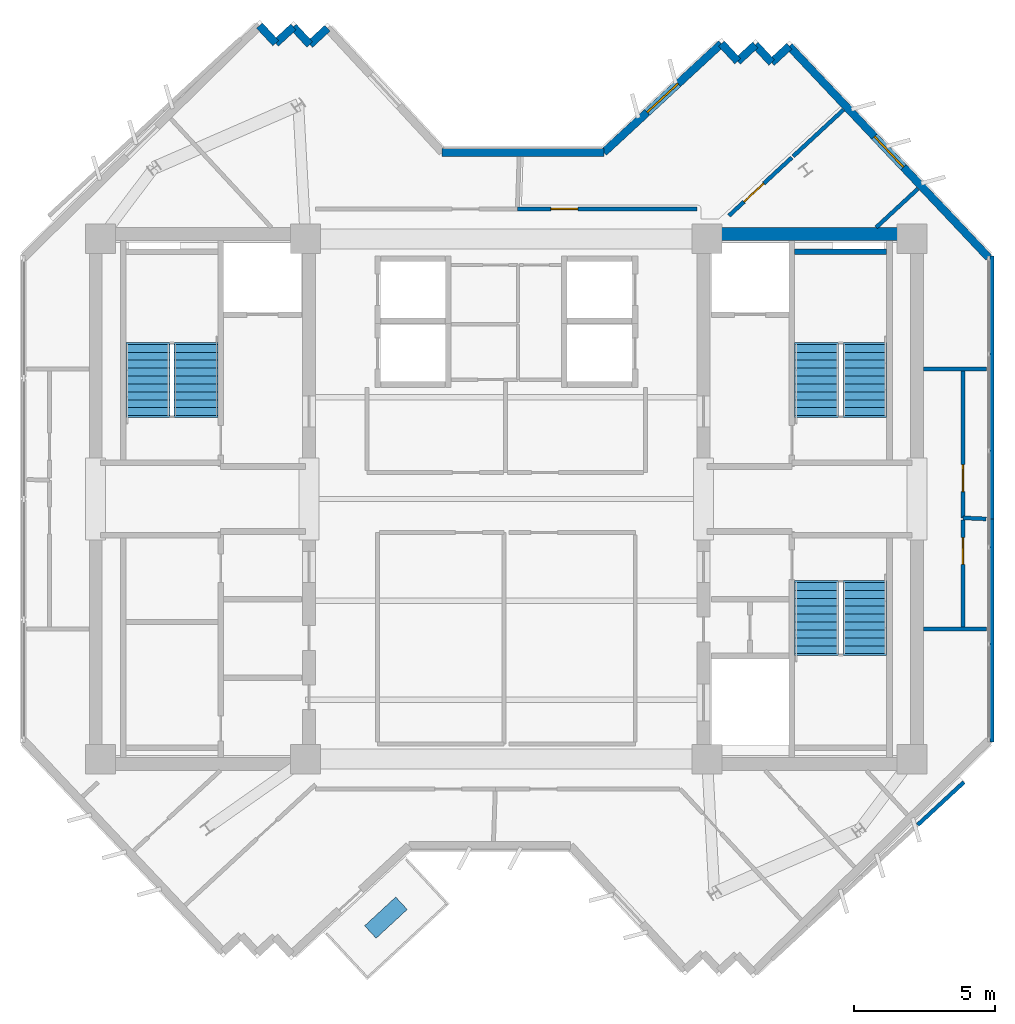
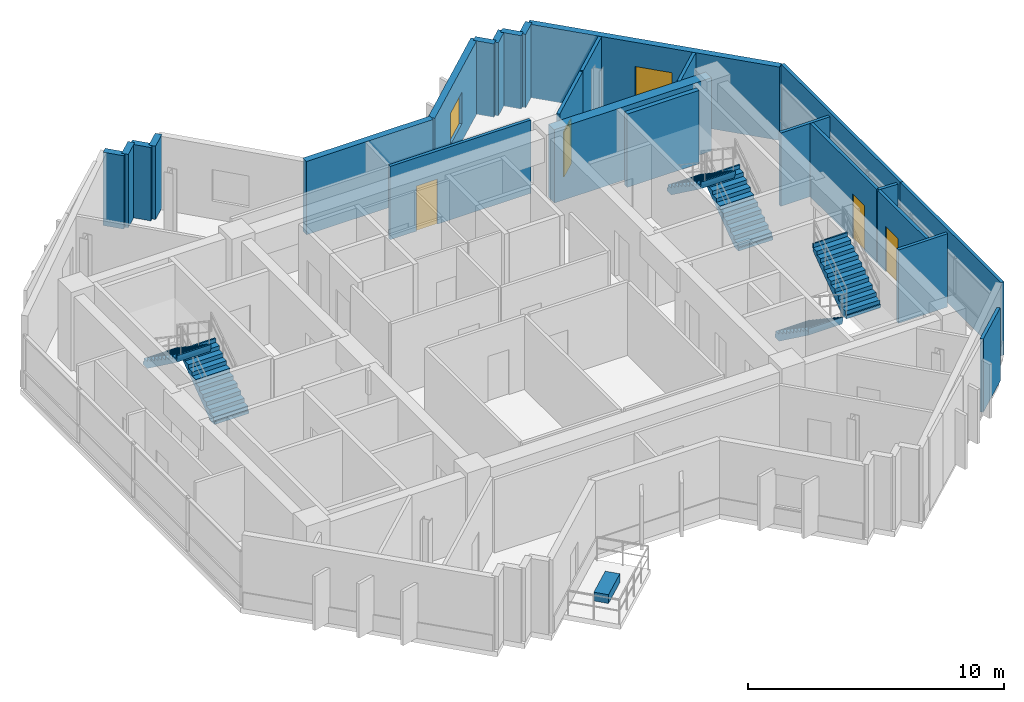
# One storey, part 7 of 9: 25 walls, 6 stair flights, 4 doors, 2 windows, 1 discrete accessory, 6 openings, 3 elements without a shape of their own.
"""IFC4 building model written with IfcOpenShell, lengths in metres."""

import ifcopenshell
import ifcopenshell.guid

model = None  # the IFC model being written
_history = None  # IfcOwnerHistory: only IFC2X3 demands one
_inside = {}  # id of a spatial element -> (the spatial element, [elements in it])
_under = {}  # id of a project, library or spatial element -> (it, [spatial elements below it])
_declared = {}  # id of a project -> (the project, [libraries it declares])
_typed = {}  # id of a type object -> (the type object, [elements of that type])
_made_of = {}  # id of a material, layer set ... -> (it, [elements and type objects made of it])


def new_model(schema):
    """Start an empty IFC model of exactly this schema.

    Asked for "IFC4X3", IfcOpenShell would pick the latest addendum, in which some entities
    have other attributes; the version numbers below select the first issue.
    IFC2X3 requires an IfcOwnerHistory on every rooted entity: one is made here for all.
    """
    global model, _history
    if schema == "IFC4X3":
        model = ifcopenshell.file(schema_version=(4, 3, 0, 0))
    else:
        model = ifcopenshell.file(schema=schema)
    _inside.clear()
    _under.clear()
    _declared.clear()
    _typed.clear()
    _made_of.clear()
    _history = None
    if model.schema == "IFC2X3":
        org = make("IfcOrganization", Name="unknown")
        user = make(
            "IfcPersonAndOrganization",
            ThePerson=make("IfcPerson", FamilyName="unknown"),
            TheOrganization=org,
        )
        app = make(
            "IfcApplication",
            ApplicationDeveloper=org,
            Version="unknown",
            ApplicationFullName="unknown",
            ApplicationIdentifier="unknown",
        )
        _history = make(
            "IfcOwnerHistory",
            OwningUser=user,
            OwningApplication=app,
            ChangeAction="ADDED",
            CreationDate=0,
        )
    return model


def make(cls, **values):
    """One entity of the class cls with the attributes given. An attribute that is None is left unset."""
    return model.create_entity(
        cls, **{name: value for name, value in values.items() if value is not None}
    )


def rooted(cls, **values):
    """An entity with a GlobalId (a new one), such as an element, a storey or a relation."""
    return make(cls, GlobalId=ifcopenshell.guid.new(), OwnerHistory=_history, **values)


def si_unit(unit_type, name, prefix=None):
    """IfcSIUnit, for example si_unit("LENGTHUNIT", "METRE", prefix="MILLI")."""
    return make("IfcSIUnit", UnitType=unit_type, Prefix=prefix, Name=name)


def assignment(units):
    """IfcUnitAssignment: the units of a project."""
    return None if units is None else make("IfcUnitAssignment", Units=units)


def point(xyz):
    """IfcCartesianPoint."""
    return None if xyz is None else make("IfcCartesianPoint", Coordinates=xyz)


def direction(xyz):
    """IfcDirection."""
    return None if xyz is None else make("IfcDirection", DirectionRatios=xyz)


def frame(location, z_axis=None, x_axis=None):
    """IfcAxis2Placement3D, a coordinate frame: its origin and axes. An axis left out is left unset."""
    return make(
        "IfcAxis2Placement3D",
        Location=point(location),
        Axis=direction(z_axis),
        RefDirection=direction(x_axis),
    )


def frame_2d(location, x_axis=None):
    """IfcAxis2Placement2D, a coordinate frame in the plane: its origin and x axis."""
    return make(
        "IfcAxis2Placement2D", Location=point(location), RefDirection=direction(x_axis)
    )


def origin():
    """The frame at (0, 0, 0) with its axes left unset."""
    return frame((0.0, 0.0, 0.0))


def origin_2d():
    """The frame at (0, 0) in the plane with its x axis left unset."""
    return frame_2d((0.0, 0.0))


def place(relative_to, where):
    """IfcLocalPlacement: puts the frame where relative to a parent placement (None: the world)."""
    return make(
        "IfcLocalPlacement", PlacementRelTo=relative_to, RelativePlacement=where
    )


def context(
    kind, dimensions, precision=None, world=None, true_north=None, identifier=None
):
    """IfcGeometricRepresentationContext, for example the 3D "Model" context."""
    return make(
        "IfcGeometricRepresentationContext",
        ContextIdentifier=identifier,
        ContextType=kind,
        CoordinateSpaceDimension=dimensions,
        Precision=precision,
        WorldCoordinateSystem=world,
        TrueNorth=true_north,
    )


def subcontext(parent, identifier, kind, view, scale=None):
    """IfcGeometricRepresentationSubContext, for example "Body" below "Model"."""
    return make(
        "IfcGeometricRepresentationSubContext",
        ContextIdentifier=identifier,
        ContextType=kind,
        ParentContext=parent,
        TargetScale=scale,
        TargetView=view,
    )


def project(units=None, contexts=None):
    """IfcProject with its units and contexts."""
    return rooted(
        "IfcProject",
        Name="project",
        RepresentationContexts=contexts,
        UnitsInContext=assignment(units),
    )


def spatial(cls, under=None, at=None, **own):
    """A site, building, storey or space (cls), placed at a placement, below another one or the project."""
    s = rooted(cls, ObjectPlacement=at, **own)
    if under is not None:
        _under.setdefault(under.id(), (under, []))[1].append(s)
    return s


def polyline(points):
    """IfcPolyline through the points."""
    return make("IfcPolyline", Points=[point(p) for p in points])


def profile(cls, at=None, kind="AREA", **sizes):
    """A parametric profile (cls). Its sizes go by their IFC names, for example OverallWidth=200.0."""
    return make(cls, ProfileType=kind, Position=at, **sizes)


def rectangle(**sizes):
    """IfcRectangleProfileDef."""
    return profile("IfcRectangleProfileDef", **sizes)


def outline(outer, holes=None, kind="AREA"):
    """IfcArbitraryClosedProfileDef: a profile drawn as a closed curve; with holes, ...WithVoids."""
    if holes is None:
        return make("IfcArbitraryClosedProfileDef", ProfileType=kind, OuterCurve=outer)
    return make(
        "IfcArbitraryProfileDefWithVoids",
        ProfileType=kind,
        OuterCurve=outer,
        InnerCurves=holes,
    )


def extrude(swept, where, along, depth):
    """IfcExtrudedAreaSolid: the profile swept, set in the frame where, extruded along a direction by depth."""
    return make(
        "IfcExtrudedAreaSolid",
        SweptArea=swept,
        Position=where,
        ExtrudedDirection=direction(along),
        Depth=depth,
    )


def shape(context_of_items, identifier, shape_type, items):
    """IfcShapeRepresentation: the items that make up one representation, for example the "Body"."""
    return make(
        "IfcShapeRepresentation",
        ContextOfItems=context_of_items,
        RepresentationIdentifier=identifier,
        RepresentationType=shape_type,
        Items=items,
    )


def source(mapping_origin, context_of_items, identifier, shape_type, items):
    """IfcRepresentationMap: a shape defined once, which mapped items show again and again."""
    return make(
        "IfcRepresentationMap",
        MappingOrigin=mapping_origin,
        MappedRepresentation=shape(context_of_items, identifier, shape_type, items),
    )


def transform(
    local_origin,
    x_axis=None,
    y_axis=None,
    z_axis=None,
    scale=None,
    scale2=None,
    scale3=None,
    uniform=True,
):
    """IfcCartesianTransformationOperator3D, or its non-uniform kind. x_axis, y_axis, z_axis: its Axis1, 2, 3."""
    if uniform:
        return make(
            "IfcCartesianTransformationOperator3D",
            Axis1=direction(x_axis),
            Axis2=direction(y_axis),
            LocalOrigin=point(local_origin),
            Scale=scale,
            Axis3=direction(z_axis),
        )
    return make(
        "IfcCartesianTransformationOperator3DnonUniform",
        Axis1=direction(x_axis),
        Axis2=direction(y_axis),
        LocalOrigin=point(local_origin),
        Scale=scale,
        Axis3=direction(z_axis),
        Scale2=scale2,
        Scale3=scale3,
    )


def mapped(mapping_source, mapping_target):
    """IfcMappedItem: shows the shape of a source again, moved by a transform."""
    return make(
        "IfcMappedItem", MappingSource=mapping_source, MappingTarget=mapping_target
    )


def material(Name=None, Category=None):
    """IfcMaterial."""
    return make("IfcMaterial", Name=Name, Category=Category)


def layer(
    of_material, thickness, ventilated=None, Name=None, Category=None, Priority=None
):
    """IfcMaterialLayer: one layer of a wall or slab, of a material (None: an air gap)."""
    return make(
        "IfcMaterialLayer",
        Material=of_material,
        LayerThickness=thickness,
        IsVentilated=ventilated,
        Name=Name,
        Category=Category,
        Priority=Priority,
    )


def layer_set(layers, Name=None):
    """IfcMaterialLayerSet."""
    return make("IfcMaterialLayerSet", MaterialLayers=layers, LayerSetName=Name)


def made_of(thing, what):
    """Note that an element or type object is made of a material, layer set ...; save() writes the relation."""
    if what is not None:
        _made_of.setdefault(what.id(), (what, []))[1].append(thing)
    return thing


def type_object(cls, material=None, **own):
    """A type object (cls), such as IfcWallType, which elements share."""
    return made_of(rooted(cls, **own), material)


def element(
    cls,
    number,
    at=None,
    inside=None,
    cuts=None,
    type_object=None,
    material=None,
    context=None,
    identifier="Body",
    shape_type=None,
    held_by="IfcProductDefinitionShape",
    body=None,
    shapes=None,
    **own,
):
    """One element of the class cls, such as IfcWall. Its Tag is "e" and its number.

    at: its placement. inside: the storey or other place that contains it. cuts: it is an
    opening in that element (IfcRelVoidsElement). A single representation is given by context,
    identifier, shape_type and body (its items); several are given by shapes. held_by: the class
    of the entity that holds the representations. save() writes the other relations.
    """
    e = rooted(cls, Tag="e%d" % number, ObjectPlacement=at, **own)
    if body is not None:
        shapes = [shape(context, identifier, shape_type, body)]
    if shapes is not None:
        e.Representation = make(held_by, Representations=shapes)
    if inside is not None:
        _inside.setdefault(inside.id(), (inside, []))[1].append(e)
    if cuts is not None:
        rooted(
            "IfcRelVoidsElement", RelatingBuildingElement=cuts, RelatedOpeningElement=e
        )
    if type_object is not None:
        _typed.setdefault(type_object.id(), (type_object, []))[1].append(e)
    return made_of(e, material)


def fill(opening, filler):
    """IfcRelFillsElement: the door or window that sits in an opening."""
    return rooted(
        "IfcRelFillsElement",
        RelatingOpeningElement=opening,
        RelatedBuildingElement=filler,
    )


def aggregate(whole, parts):
    """IfcRelAggregates: a whole, such as a stair, and the parts it consists of."""
    return rooted("IfcRelAggregates", RelatingObject=whole, RelatedObjects=parts)


def save(model, path):
    """Write the relations noted so far, then the file.

    IfcRelAggregates (storeys below a building ...), IfcRelContainedInSpatialStructure (elements
    in a storey), IfcRelDefinesByType, IfcRelAssociatesMaterial and IfcRelDeclares: one each for
    every whole, place, type object, material and project.
    """
    for whole, parts in _under.values():
        aggregate(whole, parts)
    for where, things in _inside.values():
        rooted(
            "IfcRelContainedInSpatialStructure",
            RelatedElements=things,
            RelatingStructure=where,
        )
    for kind, things in _typed.values():
        rooted("IfcRelDefinesByType", RelatedObjects=things, RelatingType=kind)
    for what, things in _made_of.values():
        rooted("IfcRelAssociatesMaterial", RelatedObjects=things, RelatingMaterial=what)
    for by, libraries in _declared.values():
        rooted("IfcRelDeclares", RelatingContext=by, RelatedDefinitions=libraries)
    model.write(path)


model = new_model("IFC4")

# Units and contexts
model_context = context("Model", 3, precision=1e-05, world=origin(), true_north=direction((0.0, 1.0)))
body_context = subcontext(model_context, "Body", "Model", "MODEL_VIEW")
ifc_project = project(units=[si_unit("LENGTHUNIT", "METRE"), si_unit("AREAUNIT", "SQUARE_METRE"), si_unit("VOLUMEUNIT", "CUBIC_METRE"), si_unit("PLANEANGLEUNIT", "RADIAN"), si_unit("MASSUNIT", "GRAM", prefix="KILO")], contexts=[model_context])

# Site, building, storey
site_placement = place(None, origin())
site = spatial("IfcSite", under=ifc_project, at=site_placement, CompositionType="ELEMENT")
building_placement = place(site_placement, origin())
building = spatial("IfcBuilding", under=site, at=building_placement, Name="Zahravan Cultural Tower", CompositionType="ELEMENT")
storey_placement = place(building_placement, frame((0.0, 0.0, 291.60009765625)))
storey = spatial("IfcBuildingStorey", under=building, at=storey_placement, Name="L70", CompositionType="ELEMENT", Elevation=291.60009765625)

# Wall, opening, window
ifc_material_1 = material(Name="Precast concrete C40/50", Category="concrete")
ifc_layer_1 = layer(ifc_material_1, 0.280029296875)
ifc_layer_set_1 = layer_set([ifc_layer_1], Name="Precast concrete C40/50")
wall_type_1 = type_object("IfcWallType", Name="EW-TC-280", PredefinedType="SOLIDWALL", material=ifc_layer_set_1)
wall_1_placement = place(storey_placement, frame((39.44677734375, 39.260009765625, 0.0), z_axis=(0.0, 0.0, 1.0), x_axis=(0.734109106874, 0.679031530346, 0.0)))
wall_1 = element("IfcWall", 1, at=wall_1_placement, inside=storey, type_object=wall_type_1, Name="L70 Exterior Masonry Frame Wall 01", PredefinedType="SOLIDWALL", context=body_context, shape_type="SweptSolid", body=[
    extrude(rectangle(XDim=5.6650390625, YDim=0.280029296875, at=frame_2d((2.83251953125, 0.0))), origin(), (0.0, 0.0, 1.0), 3.5),
])
opening_1_placement = place(wall_1_placement, frame((2.08203125, 0.0, 0.85009765625)))
opening_1 = element("IfcOpeningElement", 2, at=opening_1_placement, cuts=wall_1, Name="Opening WN-03", PredefinedType="OPENING", context=body_context, shape_type="SweptSolid", body=[
    extrude(rectangle(XDim=1.5, YDim=1.5, at=frame_2d((0.75, 0.75))), frame((0.0, 0.14990234375, 0.0), z_axis=(0.0, -1.0, 0.0), x_axis=(1.0, 0.0, 0.0)), (0.0, 0.0, 1.0), 0.300048828125),
])
ifc_material_2 = material(Name="Low-E solar-control double glazing", Category="glass")
window_type = type_object("IfcWindowType", Name="WN-REC-1500X1500", PartitioningType="SINGLE_PANEL", PredefinedType="WINDOW", material=ifc_material_2)
shared_shape_1 = source(origin(), body_context, "Body", "SweptSolid", [
    extrude(rectangle(XDim=1.5, YDim=1.5, at=frame_2d((0.75, 0.75))), frame((0.0, 0.030029296875, 0.0), z_axis=(0.0, -1.0, 0.0), x_axis=(1.0, 0.0, 0.0)), (0.0, 0.0, 1.0), 0.06005859375),
])
window_1_placement = place(opening_1_placement, origin())
window_1 = element("IfcWindow", 3, at=window_1_placement, inside=storey, type_object=window_type, Name="L70 Recessed Solar Window 01", OverallHeight=1.5, OverallWidth=1.5, PartitioningType="SINGLE_PANEL", PredefinedType="WINDOW", context=body_context, shape_type="MappedRepresentation", body=[
    mapped(shared_shape_1, transform((0.0, 0.0, 0.0), x_axis=(1.0, 0.0, 0.0), y_axis=(0.0, 1.0, 0.0), z_axis=(0.0, 0.0, 1.0), scale=1.0)),
])
fill(opening_1, window_1)

wall_2_placement = place(storey_placement, frame((46.0078125, 43.012939453125, 0.0), z_axis=(0.0, 0.0, 1.0), x_axis=(0.68643580465, -0.727190405667, 0.0)))
wall_2 = element("IfcWall", 4, at=wall_2_placement, inside=storey, type_object=wall_type_1, Name="L70 Exterior Masonry Frame Wall 06", PredefinedType="SOLIDWALL", context=body_context, shape_type="SweptSolid", body=[
    extrude(rectangle(XDim=10.273681640625, YDim=0.280029296875, at=frame_2d((5.13671875, 0.0))), origin(), (0.0, 0.0, 1.0), 3.5),
])
opening_2_placement = place(wall_2_placement, frame((4.386962890625, 0.0, 0.85009765625)))
opening_2 = element("IfcOpeningElement", 5, at=opening_2_placement, cuts=wall_2, Name="Opening WN-03", PredefinedType="OPENING", context=body_context, shape_type="SweptSolid", body=[
    extrude(rectangle(XDim=1.5, YDim=1.5, at=frame_2d((0.75, 0.75))), frame((0.0, 0.14990234375, 0.0), z_axis=(0.0, -1.0, 0.0), x_axis=(1.0, 0.0, 0.0)), (0.0, 0.0, 1.0), 0.300048828125),
])
window_2_placement = place(opening_2_placement, origin())
window_2 = element("IfcWindow", 6, at=window_2_placement, inside=storey, type_object=window_type, Name="L70 Recessed Solar Window 02", OverallHeight=1.5, OverallWidth=1.5, PartitioningType="SINGLE_PANEL", PredefinedType="WINDOW", context=body_context, shape_type="MappedRepresentation", body=[
    mapped(shared_shape_1, transform((0.0, 0.0, 0.0), x_axis=(1.0, 0.0, 0.0), y_axis=(0.0, 1.0, 0.0), z_axis=(0.0, 0.0, 1.0), scale=1.0)),
])
fill(opening_2, window_2)

# Wall, opening, door
ifc_material_3 = material(Name="Gypsum plasterboard partition")
ifc_layer_2 = layer(ifc_material_3, 0.139892578125)
ifc_layer_set_2 = layer_set([ifc_layer_2], Name="Gypsum plasterboard partition")
wall_type_2 = type_object("IfcWallType", Name="W-PART-140", PredefinedType="PARTITIONING", material=ifc_layer_set_2)
wall_3_placement = place(storey_placement, frame((43.873046875, 37.02001953125, 0.0), z_axis=(0.0, 0.0, 1.0), x_axis=(0.734120521476, 0.679019189676, 0.0)))
wall_3 = element("IfcWall", 7, at=wall_3_placement, inside=storey, type_object=wall_type_2, Name="L70 Interior Wall 063", PredefinedType="PARTITIONING", context=body_context, shape_type="SweptSolid", body=[
    extrude(rectangle(XDim=3.030517578125, YDim=0.139892578125, at=frame_2d((1.51513671875, 0.0))), origin(), (0.0, 0.0, 1.0), 3.5),
])
opening_3_placement = place(wall_3_placement, frame((0.728271484375, 0.0, 0.0)))
opening_3 = element("IfcOpeningElement", 8, at=opening_3_placement, cuts=wall_3, Name="Opening D-L70-29", PredefinedType="OPENING", context=body_context, shape_type="SweptSolid", body=[
    extrude(rectangle(XDim=0.949951171875, YDim=2.14990234375, at=frame_2d((0.47509765625, 1.074951171875))), frame((0.0, 0.079833984375, 0.0), z_axis=(0.0, -1.0, 0.0), x_axis=(1.0, 0.0, 0.0)), (0.0, 0.0, 1.0), 0.159912109375),
])
ifc_material_4 = material(Name="Anodised bronze-aluminium mullion", Category="aluminium")
door_type = type_object("IfcDoorType", Name="DR-ROOM-950", OperationType="NOTDEFINED", PredefinedType="DOOR", material=ifc_material_4)
shared_shape_2 = source(origin(), body_context, "Body", "SweptSolid", [
    extrude(rectangle(XDim=0.949951171875, YDim=2.14990234375, at=frame_2d((0.47509765625, 1.074951171875))), frame((0.0, 0.02490234375, 0.0), z_axis=(0.0, -1.0, 0.0), x_axis=(1.0, 0.0, 0.0)), (0.0, 0.0, 1.0), 0.050048828125),
])
door_1_placement = place(opening_3_placement, origin())
door_1 = element("IfcDoor", 9, at=door_1_placement, inside=storey, type_object=door_type, Name="L70 Door D-L70-29", OperationType="SINGLE_SWING_RIGHT", OverallHeight=2.14990234375, OverallWidth=0.949951171875, PredefinedType="DOOR", context=body_context, shape_type="MappedRepresentation", body=[
    mapped(shared_shape_2, transform((0.0, 0.0, 0.0), x_axis=(1.0, 0.0, 0.0), y_axis=(0.0, 1.0, 0.0), z_axis=(0.0, 0.0, 1.0), scale=1.0)),
])
fill(opening_3, door_1)

wall_4_placement = place(storey_placement, frame((52.14990234375, 26.33251953125, 0.0), z_axis=(0.0, 0.0, 1.0), x_axis=(-0.000188111359, 0.999999982307, 0.0)))
wall_4 = element("IfcWall", 10, at=wall_4_placement, inside=storey, type_object=wall_type_2, Name="L70 Interior Wall 072", PredefinedType="PARTITIONING", context=body_context, shape_type="SweptSolid", body=[
    extrude(rectangle(XDim=5.19140625, YDim=0.139892578125, at=frame_2d((2.595703125, 0.0))), origin(), (0.0, 0.0, 1.0), 3.5),
])
opening_4_placement = place(wall_4_placement, frame((0.93310546875, 0.0, 0.0)))
opening_4 = element("IfcOpeningElement", 11, at=opening_4_placement, cuts=wall_4, Name="Opening D-L70-20", PredefinedType="OPENING", context=body_context, shape_type="SweptSolid", body=[
    extrude(rectangle(XDim=0.949951171875, YDim=2.14990234375, at=frame_2d((0.47509765625, 1.074951171875))), frame((0.0, 0.079833984375, 0.0), z_axis=(0.0, -1.0, 0.0), x_axis=(1.0, 0.0, 0.0)), (0.0, 0.0, 1.0), 0.159912109375),
])
door_2_placement = place(opening_4_placement, origin())
door_2 = element("IfcDoor", 12, at=door_2_placement, inside=storey, type_object=door_type, Name="L70 Door D-L70-20", OperationType="SINGLE_SWING_LEFT", OverallHeight=2.14990234375, OverallWidth=0.949951171875, PredefinedType="DOOR", context=body_context, shape_type="MappedRepresentation", body=[
    mapped(shared_shape_2, transform((0.0, 0.0, 0.0), x_axis=(1.0, 0.0, 0.0), y_axis=(0.0, 1.0, 0.0), z_axis=(0.0, 0.0, 1.0), scale=1.0)),
])
fill(opening_4, door_2)

wall_5_placement = place(storey_placement, frame((52.148681640625, 22.477294921875, 0.0), z_axis=(0.0, 0.0, 1.0), x_axis=(0.000322913959, 0.999999947863, 0.0)))
wall_5 = element("IfcWall", 13, at=wall_5_placement, inside=storey, type_object=wall_type_2, Name="L70 Interior Wall 074", PredefinedType="PARTITIONING", context=body_context, shape_type="SweptSolid", body=[
    extrude(rectangle(XDim=3.7802734375, YDim=0.139892578125, at=frame_2d((1.89013671875, 0.0))), origin(), (0.0, 0.0, 1.0), 3.5),
])
opening_5_placement = place(wall_5_placement, frame((2.20751953125, 0.0, 0.0)))
opening_5 = element("IfcOpeningElement", 14, at=opening_5_placement, cuts=wall_5, Name="Opening D-L70-27", PredefinedType="OPENING", context=body_context, shape_type="SweptSolid", body=[
    extrude(rectangle(XDim=0.949951171875, YDim=2.14990234375, at=frame_2d((0.47509765625, 1.074951171875))), frame((0.0, 0.079833984375, 0.0), z_axis=(0.0, -1.0, 0.0), x_axis=(1.0, 0.0, 0.0)), (0.0, 0.0, 1.0), 0.159912109375),
])
door_3_placement = place(opening_5_placement, origin())
door_3 = element("IfcDoor", 15, at=door_3_placement, inside=storey, type_object=door_type, Name="L70 Door D-L70-27", OperationType="SINGLE_SWING_RIGHT", OverallHeight=2.14990234375, OverallWidth=0.949951171875, PredefinedType="DOOR", context=body_context, shape_type="MappedRepresentation", body=[
    mapped(shared_shape_2, transform((0.0, 0.0, 0.0), x_axis=(1.0, 0.0, 0.0), y_axis=(0.0, 1.0, 0.0), z_axis=(0.0, 0.0, 1.0), scale=1.0)),
])
fill(opening_5, door_3)

wall_6_placement = place(storey_placement, frame((42.742431640625, 37.259765625, 0.0), z_axis=(0.0, 0.0, 1.0), x_axis=(-0.999999999261, 3.8433452e-05, 0.0)))
wall_6 = element("IfcWall", 16, at=wall_6_placement, inside=storey, type_object=wall_type_2, Name="L70 Interior Wall 092", PredefinedType="PARTITIONING", context=body_context, shape_type="SweptSolid", body=[
    extrude(rectangle(XDim=6.352294921875, YDim=0.139892578125, at=frame_2d((3.17626953125, 0.0))), origin(), (0.0, 0.0, 1.0), 3.5),
])
opening_6_placement = place(wall_6_placement, frame((4.213623046875, 0.0, 0.0)))
opening_6 = element("IfcOpeningElement", 17, at=opening_6_placement, cuts=wall_6, Name="Opening D-L70-21", PredefinedType="OPENING", context=body_context, shape_type="SweptSolid", body=[
    extrude(rectangle(XDim=0.949951171875, YDim=2.14990234375, at=frame_2d((0.47509765625, 1.074951171875))), frame((0.0, 0.079833984375, 0.0), z_axis=(0.0, -1.0, 0.0), x_axis=(1.0, 0.0, 0.0)), (0.0, 0.0, 1.0), 0.159912109375),
])
door_4_placement = place(opening_6_placement, origin())
door_4 = element("IfcDoor", 18, at=door_4_placement, inside=storey, type_object=door_type, Name="L70 Door D-L70-21", OperationType="SINGLE_SWING_RIGHT", OverallHeight=2.14990234375, OverallWidth=0.949951171875, PredefinedType="DOOR", context=body_context, shape_type="MappedRepresentation", body=[
    mapped(shared_shape_2, transform((0.0, 0.0, 0.0), x_axis=(1.0, 0.0, 0.0), y_axis=(0.0, 1.0, 0.0), z_axis=(0.0, 0.0, 1.0), scale=1.0)),
])
fill(opening_6, door_4)

# Walls
ifc_material_5 = material(Name="Concrete C50/60", Category="concrete")
ifc_layer_3 = layer(ifc_material_5, 0.449951171875)
ifc_layer_set_3 = layer_set([ifc_layer_3], Name="Concrete C50/60")
wall_type_3 = type_object("IfcWallType", Name="CW-SHEAR-450-C50", PredefinedType="SHEAR", material=ifc_layer_set_3)
shared_shape_3 = source(origin(), body_context, "Body", "SweptSolid", [
    extrude(rectangle(XDim=7.10009765625, YDim=0.449951171875, at=frame_2d((3.550048828125, 0.0))), origin(), (0.0, 0.0, 1.0), 3.5),
])
wall_7_placement = place(storey_placement, frame((43.199951171875, 36.375, 0.0), z_axis=(0.0, 0.0, 1.0), x_axis=(1.0, 0.0, 0.0)))
element("IfcWall", 19, at=wall_7_placement, inside=storey, type_object=wall_type_3, Name="L70 Core Shear Wall CW-E-N-L70", PredefinedType="SHEAR", context=body_context, shape_type="MappedRepresentation", body=[
    mapped(shared_shape_3, transform((0.0, 0.0, 0.0), x_axis=(1.0, 0.0, 0.0), y_axis=(0.0, 1.0, 0.0), z_axis=(0.0, 0.0, 1.0), scale=1.0)),
])
shared_shape_4 = source(origin(), body_context, "Body", "SweptSolid", [
    extrude(rectangle(XDim=0.85009765625, YDim=0.280029296875, at=frame_2d((0.425048828125, 0.0))), origin(), (0.0, 0.0, 1.0), 3.5),
])
for number, where, z_axis, x_axis, name in (
    (20, (43.60546875, 43.106689453125, 0.0), (0.0, 0.0, 1.0), (0.67899554472, -0.734142390991, 0.0), "L70 Exterior Masonry Frame Wall 02"),
    (21, (44.1826171875, 42.482666015625, 0.0), (0.0, 0.0, 1.0), (0.734142390991, 0.67899554472, 0.0), "L70 Exterior Masonry Frame Wall 03"),
    (22, (44.806640625, 43.059814453125, 0.0), (0.0, 0.0, 1.0), (0.67899554472, -0.734142390991, 0.0), "L70 Exterior Masonry Frame Wall 04"),
    (23, (45.3837890625, 42.435791015625, 0.0), (0.0, 0.0, 1.0), (0.734142390991, 0.67899554472, 0.0), "L70 Exterior Masonry Frame Wall 05"),
    (24, (27.26953125, 43.74365234375, 0.0), (0.0, 0.0, 1.0), (0.67899554472, -0.734142390991, 0.0), "L70 Exterior Masonry Frame Wall 21"),
    (25, (27.8466796875, 43.11962890625, 0.0), (0.0, 0.0, 1.0), (0.733999227766, 0.679150302686, 0.0), "L70 Exterior Masonry Frame Wall 22"),
    (26, (28.470703125, 43.697021484375, 0.0), (0.0, 0.0, 1.0), (0.679150302686, -0.733999227766, 0.0), "L70 Exterior Masonry Frame Wall 23"),
):
    element("IfcWall", number, at=place(storey_placement, frame(where, z_axis=z_axis, x_axis=x_axis)), inside=storey, type_object=wall_type_1, Name=name, PredefinedType="SOLIDWALL", context=body_context, shape_type="MappedRepresentation", body=[
        mapped(shared_shape_4, transform((0.0, 0.0, 0.0), x_axis=(1.0, 0.0, 0.0), y_axis=(0.0, 1.0, 0.0), z_axis=(0.0, 0.0, 1.0), scale=1.0)),
    ])
shared_shape_5 = source(origin(), body_context, "Body", "SweptSolid", [
    extrude(rectangle(XDim=0.849853515625, YDim=0.280029296875, at=frame_2d((0.4248046875, 0.0))), origin(), (0.0, 0.0, 1.0), 3.5),
])
wall_8_placement = place(storey_placement, frame((29.048095703125, 43.072998046875, 0.0), z_axis=(0.0, 0.0, 1.0), x_axis=(0.73428557742, 0.678840696183, 0.0)))
element("IfcWall", 27, at=wall_8_placement, inside=storey, type_object=wall_type_1, Name="L70 Exterior Masonry Frame Wall 24", PredefinedType="SOLIDWALL", context=body_context, shape_type="MappedRepresentation", body=[
    mapped(shared_shape_5, transform((0.0, 0.0, 0.0), x_axis=(1.0, 0.0, 0.0), y_axis=(0.0, 1.0, 0.0), z_axis=(0.0, 0.0, 1.0), scale=1.0)),
])
shared_shape_6 = source(origin(), body_context, "Body", "SweptSolid", [
    extrude(rectangle(XDim=5.71435546875, YDim=0.280029296875, at=frame_2d((2.857177734375, 0.0))), origin(), (0.0, 0.0, 1.0), 3.5),
])
wall_9_placement = place(storey_placement, frame((33.732421875, 39.260009765625, 0.0), z_axis=(0.0, 0.0, 1.0), x_axis=(1.0, 0.0, 0.0)))
element("IfcWall", 28, at=wall_9_placement, inside=storey, type_object=wall_type_1, Name="L70 Exterior Masonry Frame Wall 26", PredefinedType="SOLIDWALL", context=body_context, shape_type="MappedRepresentation", body=[
    mapped(shared_shape_6, transform((0.0, 0.0, 0.0), x_axis=(1.0, 0.0, 0.0), y_axis=(0.0, 1.0, 0.0), z_axis=(0.0, 0.0, 1.0), scale=1.0)),
])
ifc_material_6 = material(Name="Concrete C45/55", Category="concrete")
ifc_layer_4 = layer(ifc_material_6, 0.199951171875)
ifc_layer_set_4 = layer_set([ifc_layer_4], Name="Concrete C45/55")
wall_type_4 = type_object("IfcWallType", Name="W-SHAFT-200", PredefinedType="SOLIDWALL", material=ifc_layer_set_4)
shared_shape_7 = source(origin(), body_context, "Body", "SweptSolid", [
    extrude(rectangle(XDim=3.25, YDim=0.199951171875, at=frame_2d((1.625, 0.0))), origin(), (0.0, 0.0, 1.0), 3.5),
])
wall_10_placement = place(storey_placement, frame((46.199951171875, 35.75, 0.0), z_axis=(0.0, 0.0, 1.0), x_axis=(1.0, 0.0, 0.0)))
element("IfcWall", 29, at=wall_10_placement, inside=storey, type_object=wall_type_4, Name="L70 Interior Wall 018", PredefinedType="SOLIDWALL", context=body_context, shape_type="MappedRepresentation", body=[
    mapped(shared_shape_7, transform((0.0, 0.0, 0.0), x_axis=(1.0, 0.0, 0.0), y_axis=(0.0, 1.0, 0.0), z_axis=(0.0, 0.0, 1.0), scale=1.0)),
])
shared_shape_8 = source(origin(), body_context, "Body", "SweptSolid", [
    extrude(rectangle(XDim=2.427734375, YDim=0.139892578125, at=frame_2d((1.2138671875, 0.0))), origin(), (0.0, 0.0, 1.0), 3.5),
])
wall_11_placement = place(storey_placement, frame((46.144287109375, 39.12060546875, 0.0), z_axis=(0.0, 0.0, 1.0), x_axis=(0.734124504125, 0.679014883815, 0.0)))
element("IfcWall", 30, at=wall_11_placement, inside=storey, type_object=wall_type_2, Name="L70 Interior Wall 064", PredefinedType="PARTITIONING", context=body_context, shape_type="MappedRepresentation", body=[
    mapped(shared_shape_8, transform((0.0, 0.0, 0.0), x_axis=(1.0, 0.0, 0.0), y_axis=(0.0, 1.0, 0.0), z_axis=(0.0, 0.0, 1.0), scale=1.0)),
])
shared_shape_9 = source(origin(), body_context, "Body", "SweptSolid", [
    extrude(rectangle(XDim=2.02001953125, YDim=0.139892578125, at=frame_2d((1.010009765625, 0.0))), origin(), (0.0, 0.0, 1.0), 3.5),
])
wall_12_placement = place(storey_placement, frame((50.5625, 37.9765625, 0.0), z_axis=(0.0, 0.0, 1.0), x_axis=(-0.734126550915, -0.679012670899, 0.0)))
element("IfcWall", 31, at=wall_12_placement, inside=storey, type_object=wall_type_2, Name="L70 Interior Wall 065", PredefinedType="PARTITIONING", context=body_context, shape_type="MappedRepresentation", body=[
    mapped(shared_shape_9, transform((0.0, 0.0, 0.0), x_axis=(1.0, 0.0, 0.0), y_axis=(0.0, 1.0, 0.0), z_axis=(0.0, 0.0, 1.0), scale=1.0)),
])
shared_shape_10 = source(origin(), body_context, "Body", "SweptSolid", [
    extrude(rectangle(XDim=2.22265625, YDim=0.139892578125, at=frame_2d((1.111328125, 0.0))), origin(), (0.0, 0.0, 1.0), 3.5),
])
for number, where, z_axis, x_axis, name in (
    (32, (52.9775390625, 31.598388671875, 0.0), (0.0, 0.0, 1.0), (-0.999999704402, 0.000768892567, 0.0), "L70 Interior Wall 069"),
    (33, (50.7548828125, 22.400146484375, 0.0), (0.0, 0.0, 1.0), (0.99999881761, 0.00153778377, 0.0), "L70 Interior Wall 073"),
):
    element("IfcWall", number, at=place(storey_placement, frame(where, z_axis=z_axis, x_axis=x_axis)), inside=storey, type_object=wall_type_2, Name=name, PredefinedType="PARTITIONING", context=body_context, shape_type="MappedRepresentation", body=[
        mapped(shared_shape_10, transform((0.0, 0.0, 0.0), x_axis=(1.0, 0.0, 0.0), y_axis=(0.0, 1.0, 0.0), z_axis=(0.0, 0.0, 1.0), scale=1.0)),
    ])
shared_shape_11 = source(origin(), body_context, "Body", "SweptSolid", [
    extrude(rectangle(XDim=9.30419921875, YDim=0.139892578125, at=frame_2d((4.652099609375, 0.0))), origin(), (0.0, 0.0, 1.0), 3.5),
])
wall_13_placement = place(storey_placement, frame((53.179931640625, 35.591796875, 0.0), z_axis=(0.0, 0.0, 1.0), x_axis=(0.0, -1.0, 0.0)))
element("IfcWall", 34, at=wall_13_placement, inside=storey, type_object=wall_type_2, Name="L70 Interior Wall 070", PredefinedType="PARTITIONING", context=body_context, shape_type="MappedRepresentation", body=[
    mapped(shared_shape_11, transform((0.0, 0.0, 0.0), x_axis=(1.0, 0.0, 0.0), y_axis=(0.0, 1.0, 0.0), z_axis=(0.0, 0.0, 1.0), scale=1.0)),
])
shared_shape_12 = source(origin(), body_context, "Body", "SweptSolid", [
    extrude(rectangle(XDim=0.8232421875, YDim=0.139892578125, at=frame_2d((0.41162109375, 0.0))), origin(), (0.0, 0.0, 1.0), 3.5),
])
wall_14_placement = place(storey_placement, frame((52.972412109375, 26.296630859375, 0.0), z_axis=(0.0, 0.0, 1.0), x_axis=(-0.999049432265, 0.043591649315, 0.0)))
element("IfcWall", 35, at=wall_14_placement, inside=storey, type_object=wall_type_2, Name="L70 Interior Wall 071", PredefinedType="PARTITIONING", context=body_context, shape_type="MappedRepresentation", body=[
    mapped(shared_shape_12, transform((0.0, 0.0, 0.0), x_axis=(1.0, 0.0, 0.0), y_axis=(0.0, 1.0, 0.0), z_axis=(0.0, 0.0, 1.0), scale=1.0)),
])
shared_shape_13 = source(origin(), body_context, "Body", "SweptSolid", [
    extrude(rectangle(XDim=7.87939453125, YDim=0.139892578125, at=frame_2d((3.939697265625, 0.0))), origin(), (0.0, 0.0, 1.0), 3.5),
])
wall_15_placement = place(storey_placement, frame((53.179931640625, 26.28759765625, 0.0), z_axis=(0.0, 0.0, 1.0), x_axis=(0.0, -1.0, 0.0)))
element("IfcWall", 36, at=wall_15_placement, inside=storey, type_object=wall_type_2, Name="L70 Interior Wall 075", PredefinedType="PARTITIONING", context=body_context, shape_type="MappedRepresentation", body=[
    mapped(shared_shape_13, transform((0.0, 0.0, 0.0), x_axis=(1.0, 0.0, 0.0), y_axis=(0.0, 1.0, 0.0), z_axis=(0.0, 0.0, 1.0), scale=1.0)),
])
shared_shape_14 = source(origin(), body_context, "Body", "SweptSolid", [
    extrude(rectangle(XDim=2.2294921875, YDim=0.139892578125, at=frame_2d((1.11474609375, 0.0))), origin(), (0.0, 0.0, 1.0), 3.5),
])
wall_16_placement = place(storey_placement, frame((52.18212890625, 16.985107421875, 0.0), z_axis=(0.0, 0.0, 1.0), x_axis=(-0.734110356631, -0.679030179217, 0.0)))
element("IfcWall", 37, at=wall_16_placement, inside=storey, type_object=wall_type_2, Name="L70 Interior Wall 076", PredefinedType="PARTITIONING", context=body_context, shape_type="MappedRepresentation", body=[
    mapped(shared_shape_14, transform((0.0, 0.0, 0.0), x_axis=(1.0, 0.0, 0.0), y_axis=(0.0, 1.0, 0.0), z_axis=(0.0, 0.0, 1.0), scale=1.0)),
])

# Stair, stair flights
stair_type = type_object("IfcStairType", Name="STR-DL-1550-375", PredefinedType="HALF_TURN_STAIR", material=ifc_material_6)
stair_1_placement = place(storey_placement, origin())
stair_1 = element("IfcStair", 38, at=stair_1_placement, inside=storey, type_object=stair_type, Name="L70 West Core North Exit Stair ST-W1", PredefinedType="HALF_TURN_STAIR")
stair_flight_type = type_object("IfcStairFlightType", Name="FLG-DL-1550-375", PredefinedType="STRAIGHT", material=ifc_material_6)
stair_flight_1_placement = place(storey_placement, frame((25.02490234375, 29.949951171875, 0.0), z_axis=(0.0, 0.0, 1.0), x_axis=(0.0, 1.0, 0.0)))
stair_flight_1 = element("IfcStairFlight", 39, at=stair_flight_1_placement, type_object=stair_flight_type, Name="ST-W1 flight 1", NumberOfRisers=10, NumberOfTreads=9, PredefinedType="STRAIGHT", RiserHeight=0.1875, TreadLength=0.28, context=body_context, shape_type="SweptSolid", body=[
    extrude(outline(polyline([(-0.06494140625, -0.139892578125), (-0.06494140625, 0.0), (0.0, 0.0), (0.0, 0.1875), (0.280029296875, 0.1875), (0.280029296875, 0.375), (0.56005859375, 0.375), (0.56005859375, 0.5625), (0.840087890625, 0.5625), (0.840087890625, 0.75), (1.1201171875, 0.75), (1.1201171875, 0.9375), (1.39990234375, 0.9375), (1.39990234375, 1.125), (1.679931640625, 1.125), (1.679931640625, 1.3125), (1.9599609375, 1.3125), (1.9599609375, 1.5), (2.239990234375, 1.5), (2.239990234375, 1.6875), (2.52001953125, 1.6875), (2.52001953125, 1.875), (2.5849609375, 1.875), (2.5849609375, 1.72509765625), (2.52001953125, 1.507080078125), (0.26953125, -0.139892578125), (-0.06494140625, -0.139892578125)])), frame((0.0, 0.77490234375, 0.0), z_axis=(0.0, -1.0, 0.0), x_axis=(1.0, 0.0, 0.0)), (0.0, 0.0, 1.0), 1.550048828125),
])
stair_flight_2_placement = place(storey_placement, frame((23.324951171875, 32.469970703125, 1.875), z_axis=(0.0, 0.0, 1.0), x_axis=(0.0, -1.0, 0.0)))
stair_flight_2 = element("IfcStairFlight", 40, at=stair_flight_2_placement, type_object=stair_flight_type, Name="ST-W1 flight 2", NumberOfRisers=10, NumberOfTreads=9, PredefinedType="STRAIGHT", RiserHeight=0.1875, TreadLength=0.28, context=body_context, shape_type="SweptSolid", body=[
    extrude(outline(polyline([(-0.06494140625, -0.139892578125), (-0.06494140625, 0.0), (0.0, 0.0), (0.0, 0.1875), (0.280029296875, 0.1875), (0.280029296875, 0.375), (0.56005859375, 0.375), (0.56005859375, 0.5625), (0.840087890625, 0.5625), (0.840087890625, 0.75), (1.1201171875, 0.75), (1.1201171875, 0.9375), (1.39990234375, 0.9375), (1.39990234375, 1.125), (1.679931640625, 1.125), (1.679931640625, 1.3125), (1.9599609375, 1.3125), (1.9599609375, 1.5), (2.239990234375, 1.5), (2.239990234375, 1.6875), (2.52001953125, 1.6875), (2.52001953125, 1.875), (2.5849609375, 1.875), (2.5849609375, 1.72509765625), (2.52001953125, 1.507080078125), (0.26953125, -0.139892578125), (-0.06494140625, -0.139892578125)])), frame((0.0, 0.77490234375, 0.0), z_axis=(0.0, -1.0, 0.0), x_axis=(1.0, 0.0, 0.0)), (0.0, 0.0, 1.0), 1.550048828125),
])
aggregate(stair_1, [stair_flight_1, stair_flight_2])

stair_2_placement = place(storey_placement, origin())
stair_2 = element("IfcStair", 41, at=stair_2_placement, inside=storey, type_object=stair_type, Name="L70 East Core North Exit Stair ST-E1", PredefinedType="HALF_TURN_STAIR")
stair_flight_3_placement = place(storey_placement, frame((48.675048828125, 29.949951171875, 0.0), z_axis=(0.0, 0.0, 1.0), x_axis=(0.0, 1.0, 0.0)))
stair_flight_3 = element("IfcStairFlight", 42, at=stair_flight_3_placement, type_object=stair_flight_type, Name="ST-E1 flight 1", NumberOfRisers=10, NumberOfTreads=9, PredefinedType="STRAIGHT", RiserHeight=0.1875, TreadLength=0.28, context=body_context, shape_type="SweptSolid", body=[
    extrude(outline(polyline([(-0.06494140625, -0.139892578125), (-0.06494140625, 0.0), (0.0, 0.0), (0.0, 0.1875), (0.280029296875, 0.1875), (0.280029296875, 0.375), (0.56005859375, 0.375), (0.56005859375, 0.5625), (0.840087890625, 0.5625), (0.840087890625, 0.75), (1.1201171875, 0.75), (1.1201171875, 0.9375), (1.39990234375, 0.9375), (1.39990234375, 1.125), (1.679931640625, 1.125), (1.679931640625, 1.3125), (1.9599609375, 1.3125), (1.9599609375, 1.5), (2.239990234375, 1.5), (2.239990234375, 1.6875), (2.52001953125, 1.6875), (2.52001953125, 1.875), (2.5849609375, 1.875), (2.5849609375, 1.72509765625), (2.52001953125, 1.507080078125), (0.26953125, -0.139892578125), (-0.06494140625, -0.139892578125)])), frame((0.0, 0.77490234375, 0.0), z_axis=(0.0, -1.0, 0.0), x_axis=(1.0, 0.0, 0.0)), (0.0, 0.0, 1.0), 1.550048828125),
])
stair_flight_4_placement = place(storey_placement, frame((46.97509765625, 32.469970703125, 1.875), z_axis=(0.0, 0.0, 1.0), x_axis=(0.0, -1.0, 0.0)))
stair_flight_4 = element("IfcStairFlight", 43, at=stair_flight_4_placement, type_object=stair_flight_type, Name="ST-E1 flight 2", NumberOfRisers=10, NumberOfTreads=9, PredefinedType="STRAIGHT", RiserHeight=0.1875, TreadLength=0.28, context=body_context, shape_type="SweptSolid", body=[
    extrude(outline(polyline([(-0.06494140625, -0.139892578125), (-0.06494140625, 0.0), (0.0, 0.0), (0.0, 0.1875), (0.280029296875, 0.1875), (0.280029296875, 0.375), (0.56005859375, 0.375), (0.56005859375, 0.5625), (0.840087890625, 0.5625), (0.840087890625, 0.75), (1.1201171875, 0.75), (1.1201171875, 0.9375), (1.39990234375, 0.9375), (1.39990234375, 1.125), (1.679931640625, 1.125), (1.679931640625, 1.3125), (1.9599609375, 1.3125), (1.9599609375, 1.5), (2.239990234375, 1.5), (2.239990234375, 1.6875), (2.52001953125, 1.6875), (2.52001953125, 1.875), (2.5849609375, 1.875), (2.5849609375, 1.72509765625), (2.52001953125, 1.507080078125), (0.26953125, -0.139892578125), (-0.06494140625, -0.139892578125)])), frame((0.0, 0.77490234375, 0.0), z_axis=(0.0, -1.0, 0.0), x_axis=(1.0, 0.0, 0.0)), (0.0, 0.0, 1.0), 1.550048828125),
])
aggregate(stair_2, [stair_flight_3, stair_flight_4])

stair_3_placement = place(storey_placement, origin())
stair_3 = element("IfcStair", 44, at=stair_3_placement, inside=storey, type_object=stair_type, Name="L70 East Core South Exit Stair ST-E2", PredefinedType="HALF_TURN_STAIR")
stair_flight_5_placement = place(storey_placement, frame((46.97509765625, 24.050048828125, 0.0), z_axis=(0.0, 0.0, 1.0), x_axis=(0.0, -1.0, 0.0)))
stair_flight_5 = element("IfcStairFlight", 45, at=stair_flight_5_placement, type_object=stair_flight_type, Name="ST-E2 flight 1", NumberOfRisers=10, NumberOfTreads=9, PredefinedType="STRAIGHT", RiserHeight=0.1875, TreadLength=0.28, context=body_context, shape_type="SweptSolid", body=[
    extrude(outline(polyline([(-0.06494140625, -0.139892578125), (-0.06494140625, 0.0), (0.0, 0.0), (0.0, 0.1875), (0.280029296875, 0.1875), (0.280029296875, 0.375), (0.56005859375, 0.375), (0.56005859375, 0.5625), (0.840087890625, 0.5625), (0.840087890625, 0.75), (1.1201171875, 0.75), (1.1201171875, 0.9375), (1.39990234375, 0.9375), (1.39990234375, 1.125), (1.679931640625, 1.125), (1.679931640625, 1.3125), (1.9599609375, 1.3125), (1.9599609375, 1.5), (2.239990234375, 1.5), (2.239990234375, 1.6875), (2.52001953125, 1.6875), (2.52001953125, 1.875), (2.5849609375, 1.875), (2.5849609375, 1.72509765625), (2.52001953125, 1.507080078125), (0.26953125, -0.139892578125), (-0.06494140625, -0.139892578125)])), frame((0.0, 0.77490234375, 0.0), z_axis=(0.0, -1.0, 0.0), x_axis=(1.0, 0.0, 0.0)), (0.0, 0.0, 1.0), 1.550048828125),
])
stair_flight_6_placement = place(storey_placement, frame((48.675048828125, 21.530029296875, 1.875), z_axis=(0.0, 0.0, 1.0), x_axis=(0.0, 1.0, 0.0)))
stair_flight_6 = element("IfcStairFlight", 46, at=stair_flight_6_placement, type_object=stair_flight_type, Name="ST-E2 flight 2", NumberOfRisers=10, NumberOfTreads=9, PredefinedType="STRAIGHT", RiserHeight=0.1875, TreadLength=0.28, context=body_context, shape_type="SweptSolid", body=[
    extrude(outline(polyline([(-0.06494140625, -0.139892578125), (-0.06494140625, 0.0), (0.0, 0.0), (0.0, 0.1875), (0.280029296875, 0.1875), (0.280029296875, 0.375), (0.56005859375, 0.375), (0.56005859375, 0.5625), (0.840087890625, 0.5625), (0.840087890625, 0.75), (1.1201171875, 0.75), (1.1201171875, 0.9375), (1.39990234375, 0.9375), (1.39990234375, 1.125), (1.679931640625, 1.125), (1.679931640625, 1.3125), (1.9599609375, 1.3125), (1.9599609375, 1.5), (2.239990234375, 1.5), (2.239990234375, 1.6875), (2.52001953125, 1.6875), (2.52001953125, 1.875), (2.5849609375, 1.875), (2.5849609375, 1.72509765625), (2.52001953125, 1.507080078125), (0.26953125, -0.139892578125), (-0.06494140625, -0.139892578125)])), frame((0.0, 0.77490234375, 0.0), z_axis=(0.0, -1.0, 0.0), x_axis=(1.0, 0.0, 0.0)), (0.0, 0.0, 1.0), 1.550048828125),
])
aggregate(stair_3, [stair_flight_5, stair_flight_6])

# Discrete accessory
ifc_material_7 = material(Name="Planted soil and terracotta planter", Category="masonry")
discrete_accessory_type = type_object("IfcDiscreteAccessoryType", Name="ACC-PLANTER-TC", PredefinedType="USERDEFINED", material=ifc_material_7)
shared_shape_15 = source(origin(), body_context, "Body", "SweptSolid", [
    extrude(rectangle(XDim=1.5, YDim=0.60009765625, at=origin_2d()), origin(), (0.0, 0.0, 1.0), 0.419921875),
])
discrete_accessory_placement = place(storey_placement, frame((31.7412109375, 12.194091796875, 0.0), z_axis=(0.0, 0.0, 1.0), x_axis=(0.734124628203, 0.679014749667, 0.0)))
element("IfcDiscreteAccessory", 47, at=discrete_accessory_placement, inside=storey, type_object=discrete_accessory_type, Name="L70 Terracotta Sculpture Planter SW", ObjectType="PLANTER", PredefinedType="USERDEFINED", context=body_context, shape_type="MappedRepresentation", body=[
    mapped(shared_shape_15, transform((0.0, 0.0, 0.0), x_axis=(1.0, 0.0, 0.0), y_axis=(0.0, 1.0, 0.0), z_axis=(0.0, 0.0, 1.0), scale=1.0)),
])

save(model, "model.ifc")
